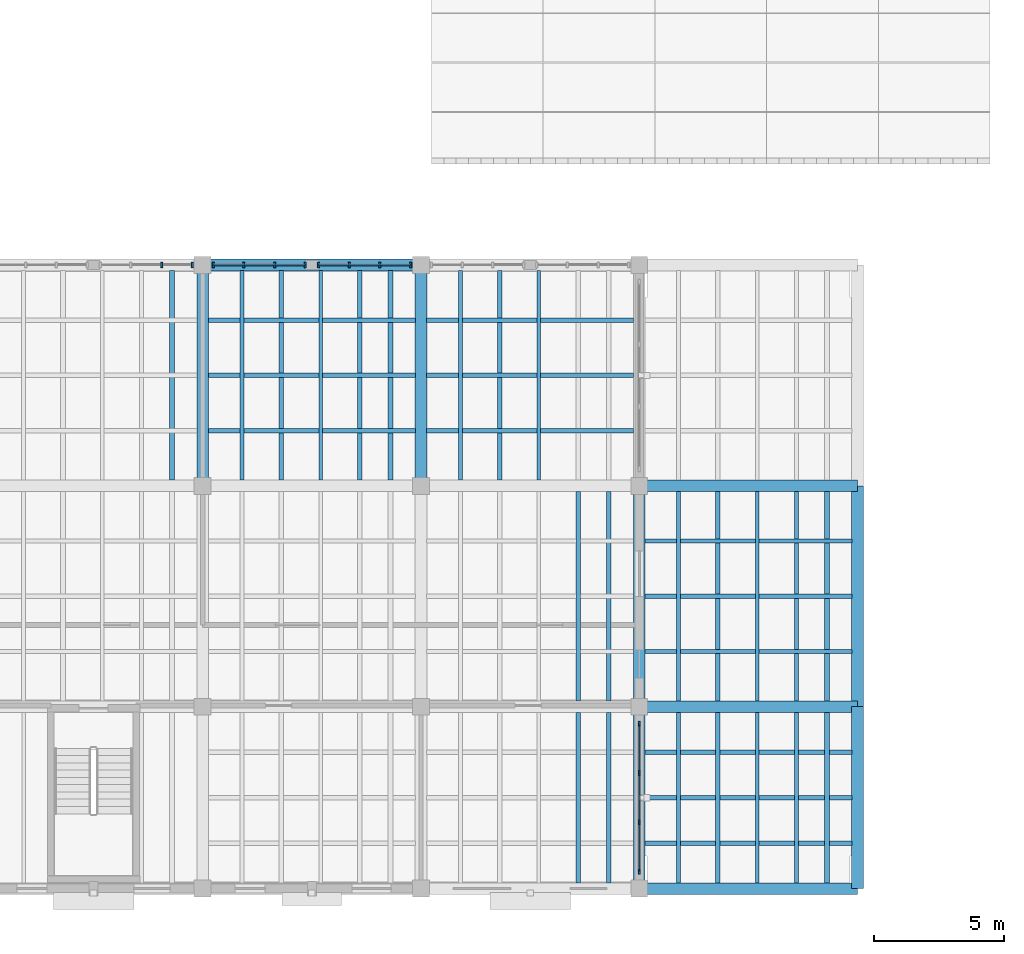
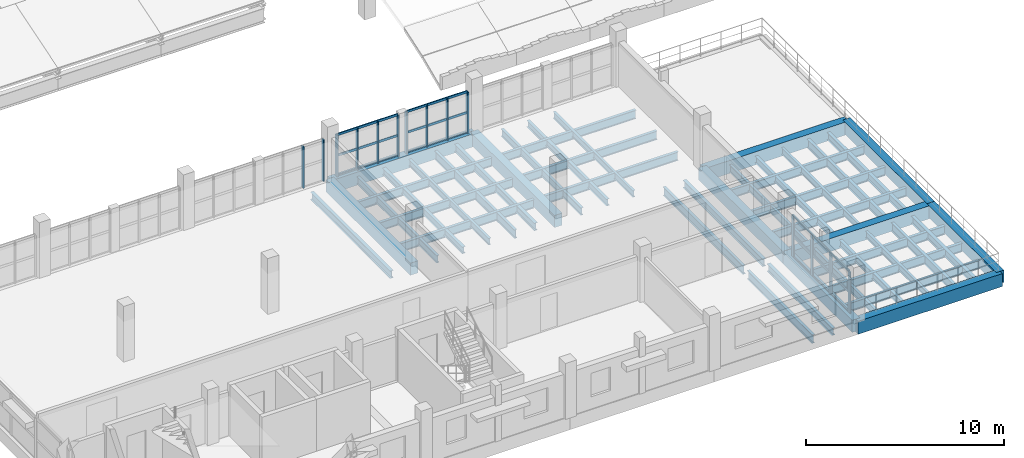
# One storey, part 17 of 48: 45 beams, 23 members, 4 elements without a shape of their own.
"""IFC4 building model written with IfcOpenShell, lengths in metres."""

import ifcopenshell
import ifcopenshell.guid

model = None  # the IFC model being written
_history = None  # IfcOwnerHistory: only IFC2X3 demands one
_inside = {}  # id of a spatial element -> (the spatial element, [elements in it])
_under = {}  # id of a project, library or spatial element -> (it, [spatial elements below it])
_declared = {}  # id of a project -> (the project, [libraries it declares])
_typed = {}  # id of a type object -> (the type object, [elements of that type])
_made_of = {}  # id of a material, layer set ... -> (it, [elements and type objects made of it])


def new_model(schema):
    """Start an empty IFC model of exactly this schema.

    Asked for "IFC4X3", IfcOpenShell would pick the latest addendum, in which some entities
    have other attributes; the version numbers below select the first issue.
    IFC2X3 requires an IfcOwnerHistory on every rooted entity: one is made here for all.
    """
    global model, _history
    if schema == "IFC4X3":
        model = ifcopenshell.file(schema_version=(4, 3, 0, 0))
    else:
        model = ifcopenshell.file(schema=schema)
    _inside.clear()
    _under.clear()
    _declared.clear()
    _typed.clear()
    _made_of.clear()
    _history = None
    if model.schema == "IFC2X3":
        org = make("IfcOrganization", Name="unknown")
        user = make(
            "IfcPersonAndOrganization",
            ThePerson=make("IfcPerson", FamilyName="unknown"),
            TheOrganization=org,
        )
        app = make(
            "IfcApplication",
            ApplicationDeveloper=org,
            Version="unknown",
            ApplicationFullName="unknown",
            ApplicationIdentifier="unknown",
        )
        _history = make(
            "IfcOwnerHistory",
            OwningUser=user,
            OwningApplication=app,
            ChangeAction="ADDED",
            CreationDate=0,
        )
    return model


def make(cls, **values):
    """One entity of the class cls with the attributes given. An attribute that is None is left unset."""
    return model.create_entity(
        cls, **{name: value for name, value in values.items() if value is not None}
    )


def rooted(cls, **values):
    """An entity with a GlobalId (a new one), such as an element, a storey or a relation."""
    return make(cls, GlobalId=ifcopenshell.guid.new(), OwnerHistory=_history, **values)


def si_unit(unit_type, name, prefix=None):
    """IfcSIUnit, for example si_unit("LENGTHUNIT", "METRE", prefix="MILLI")."""
    return make("IfcSIUnit", UnitType=unit_type, Prefix=prefix, Name=name)


def assignment(units):
    """IfcUnitAssignment: the units of a project."""
    return None if units is None else make("IfcUnitAssignment", Units=units)


def point(xyz):
    """IfcCartesianPoint."""
    return None if xyz is None else make("IfcCartesianPoint", Coordinates=xyz)


def direction(xyz):
    """IfcDirection."""
    return None if xyz is None else make("IfcDirection", DirectionRatios=xyz)


def frame(location, z_axis=None, x_axis=None):
    """IfcAxis2Placement3D, a coordinate frame: its origin and axes. An axis left out is left unset."""
    return make(
        "IfcAxis2Placement3D",
        Location=point(location),
        Axis=direction(z_axis),
        RefDirection=direction(x_axis),
    )


def frame_2d(location, x_axis=None):
    """IfcAxis2Placement2D, a coordinate frame in the plane: its origin and x axis."""
    return make(
        "IfcAxis2Placement2D", Location=point(location), RefDirection=direction(x_axis)
    )


def origin():
    """The frame at (0, 0, 0) with its axes left unset."""
    return frame((0.0, 0.0, 0.0))


def origin_2d():
    """The frame at (0, 0) in the plane with its x axis left unset."""
    return frame_2d((0.0, 0.0))


def place(relative_to, where):
    """IfcLocalPlacement: puts the frame where relative to a parent placement (None: the world)."""
    return make(
        "IfcLocalPlacement", PlacementRelTo=relative_to, RelativePlacement=where
    )


def context(
    kind, dimensions, precision=None, world=None, true_north=None, identifier=None
):
    """IfcGeometricRepresentationContext, for example the 3D "Model" context."""
    return make(
        "IfcGeometricRepresentationContext",
        ContextIdentifier=identifier,
        ContextType=kind,
        CoordinateSpaceDimension=dimensions,
        Precision=precision,
        WorldCoordinateSystem=world,
        TrueNorth=true_north,
    )


def subcontext(parent, identifier, kind, view, scale=None):
    """IfcGeometricRepresentationSubContext, for example "Body" below "Model"."""
    return make(
        "IfcGeometricRepresentationSubContext",
        ContextIdentifier=identifier,
        ContextType=kind,
        ParentContext=parent,
        TargetScale=scale,
        TargetView=view,
    )


def project(units=None, contexts=None):
    """IfcProject with its units and contexts."""
    return rooted(
        "IfcProject",
        Name="project",
        RepresentationContexts=contexts,
        UnitsInContext=assignment(units),
    )


def spatial(cls, under=None, at=None, **own):
    """A site, building, storey or space (cls), placed at a placement, below another one or the project."""
    s = rooted(cls, ObjectPlacement=at, **own)
    if under is not None:
        _under.setdefault(under.id(), (under, []))[1].append(s)
    return s


def profile(cls, at=None, kind="AREA", **sizes):
    """A parametric profile (cls). Its sizes go by their IFC names, for example OverallWidth=200.0."""
    return make(cls, ProfileType=kind, Position=at, **sizes)


def rectangle(**sizes):
    """IfcRectangleProfileDef."""
    return profile("IfcRectangleProfileDef", **sizes)


def i_section(**sizes):
    """IfcIShapeProfileDef."""
    return profile("IfcIShapeProfileDef", **sizes)


def extrude(swept, where, along, depth):
    """IfcExtrudedAreaSolid: the profile swept, set in the frame where, extruded along a direction by depth."""
    return make(
        "IfcExtrudedAreaSolid",
        SweptArea=swept,
        Position=where,
        ExtrudedDirection=direction(along),
        Depth=depth,
    )


def shape(context_of_items, identifier, shape_type, items):
    """IfcShapeRepresentation: the items that make up one representation, for example the "Body"."""
    return make(
        "IfcShapeRepresentation",
        ContextOfItems=context_of_items,
        RepresentationIdentifier=identifier,
        RepresentationType=shape_type,
        Items=items,
    )


def material(Name=None, Category=None):
    """IfcMaterial."""
    return make("IfcMaterial", Name=Name, Category=Category)


def layer(
    of_material, thickness, ventilated=None, Name=None, Category=None, Priority=None
):
    """IfcMaterialLayer: one layer of a wall or slab, of a material (None: an air gap)."""
    return make(
        "IfcMaterialLayer",
        Material=of_material,
        LayerThickness=thickness,
        IsVentilated=ventilated,
        Name=Name,
        Category=Category,
        Priority=Priority,
    )


def layer_set(layers, Name=None):
    """IfcMaterialLayerSet."""
    return make("IfcMaterialLayerSet", MaterialLayers=layers, LayerSetName=Name)


def material_profile(
    of_material, cross_section, Name=None, Category=None, Priority=None
):
    """IfcMaterialProfile: a cross section and its material."""
    return make(
        "IfcMaterialProfile",
        Name=Name,
        Material=of_material,
        Profile=cross_section,
        Priority=Priority,
        Category=Category,
    )


def profile_set(profiles, Name=None, composite=None):
    """IfcMaterialProfileSet."""
    return make(
        "IfcMaterialProfileSet",
        Name=Name,
        MaterialProfiles=profiles,
        CompositeProfile=composite,
    )


def made_of(thing, what):
    """Note that an element or type object is made of a material, layer set ...; save() writes the relation."""
    if what is not None:
        _made_of.setdefault(what.id(), (what, []))[1].append(thing)
    return thing


def type_object(cls, material=None, **own):
    """A type object (cls), such as IfcWallType, which elements share."""
    return made_of(rooted(cls, **own), material)


def element(
    cls,
    number,
    at=None,
    inside=None,
    cuts=None,
    type_object=None,
    material=None,
    context=None,
    identifier="Body",
    shape_type=None,
    held_by="IfcProductDefinitionShape",
    body=None,
    shapes=None,
    **own,
):
    """One element of the class cls, such as IfcWall. Its Tag is "e" and its number.

    at: its placement. inside: the storey or other place that contains it. cuts: it is an
    opening in that element (IfcRelVoidsElement). A single representation is given by context,
    identifier, shape_type and body (its items); several are given by shapes. held_by: the class
    of the entity that holds the representations. save() writes the other relations.
    """
    e = rooted(cls, Tag="e%d" % number, ObjectPlacement=at, **own)
    if body is not None:
        shapes = [shape(context, identifier, shape_type, body)]
    if shapes is not None:
        e.Representation = make(held_by, Representations=shapes)
    if inside is not None:
        _inside.setdefault(inside.id(), (inside, []))[1].append(e)
    if cuts is not None:
        rooted(
            "IfcRelVoidsElement", RelatingBuildingElement=cuts, RelatedOpeningElement=e
        )
    if type_object is not None:
        _typed.setdefault(type_object.id(), (type_object, []))[1].append(e)
    return made_of(e, material)


def aggregate(whole, parts):
    """IfcRelAggregates: a whole, such as a stair, and the parts it consists of."""
    return rooted("IfcRelAggregates", RelatingObject=whole, RelatedObjects=parts)


def save(model, path):
    """Write the relations noted so far, then the file.

    IfcRelAggregates (storeys below a building ...), IfcRelContainedInSpatialStructure (elements
    in a storey), IfcRelDefinesByType, IfcRelAssociatesMaterial and IfcRelDeclares: one each for
    every whole, place, type object, material and project.
    """
    for whole, parts in _under.values():
        aggregate(whole, parts)
    for where, things in _inside.values():
        rooted(
            "IfcRelContainedInSpatialStructure",
            RelatedElements=things,
            RelatingStructure=where,
        )
    for kind, things in _typed.values():
        rooted("IfcRelDefinesByType", RelatedObjects=things, RelatingType=kind)
    for what, things in _made_of.values():
        rooted("IfcRelAssociatesMaterial", RelatedObjects=things, RelatingMaterial=what)
    for by, libraries in _declared.values():
        rooted("IfcRelDeclares", RelatingContext=by, RelatedDefinitions=libraries)
    model.write(path)


model = new_model("IFC4")

# Units and contexts
model_context = context("Model", 3, precision=1e-05, world=origin(), true_north=direction((0.0, 1.0)))
body_context = subcontext(model_context, "Body", "Model", "MODEL_VIEW")
ifc_project = project(units=[si_unit("LENGTHUNIT", "METRE"), si_unit("AREAUNIT", "SQUARE_METRE"), si_unit("VOLUMEUNIT", "CUBIC_METRE"), si_unit("PLANEANGLEUNIT", "RADIAN"), si_unit("MASSUNIT", "GRAM", prefix="KILO")], contexts=[model_context])

# Site, building, storey
site_placement = place(None, origin())
site = spatial("IfcSite", under=ifc_project, at=site_placement, CompositionType="ELEMENT")
building_placement = place(site_placement, origin())
building = spatial("IfcBuilding", under=site, at=building_placement, Name="Trellovar Central Fire Station", CompositionType="ELEMENT")
storey_placement = place(building_placement, frame((0.0, 0.0, 9.300048828125)))
storey = spatial("IfcBuildingStorey", under=building, at=storey_placement, Name="L03", CompositionType="ELEMENT", Elevation=9.300048828125)

# Beams
ifc_material_1 = material(Name="Concrete C40/50", Category="concrete")
ifc_material_profile_1 = material_profile(ifc_material_1, rectangle(XDim=0.449951171875, YDim=0.800048828125, at=origin_2d()), Name="RC450X800")
ifc_profile_set_1 = profile_set([ifc_material_profile_1], Name="Concrete C40/50")
beam_type_1 = type_object("IfcBeamType", Name="BM-G1", PredefinedType="BEAM", material=ifc_profile_set_1)
for number, where, z_axis, x_axis, name in (
    (1, (147.5, 9.0, -0.400146484375), (1.0, 0.0, 0.0), (0.0, 1.0, 0.0), "L03 beam G-1"),
    (2, (147.5, 16.0, -0.400146484375), (1.0, 0.0, 0.0), (0.0, 1.0, 0.0), "L03 beam G-1"),
    (3, (147.5, 24.5, -0.400146484375), (1.0, 0.0, 0.0), (0.0, 1.0, 0.0), "L03 beam G-1"),
):
    element("IfcBeam", number, at=place(storey_placement, frame(where, z_axis=z_axis, x_axis=x_axis)), inside=storey, type_object=beam_type_1, Name=name, PredefinedType="BEAM", context=body_context, shape_type="SweptSolid", body=[
        extrude(rectangle(XDim=0.449951171875, YDim=0.800048828125, at=origin_2d()), origin(), (0.0, 0.0, 1.0), 8.39990234375),
    ])
beam_1_placement = place(storey_placement, frame((130.699951171875, 33.0, -0.400146484375), z_axis=(1.0, 0.0, 0.0), x_axis=(0.0, 1.0, 0.0)))
element("IfcBeam", 4, at=beam_1_placement, inside=storey, type_object=beam_type_1, Name="L03 beam G-1", PredefinedType="BEAM", context=body_context, shape_type="SweptSolid", body=[
    extrude(rectangle(XDim=0.449951171875, YDim=0.800048828125, at=origin_2d()), origin(), (0.0, 0.0, 1.0), 8.400146484375),
])
ifc_material_2 = material(Name="Concrete C40/50", Category="concrete")
ifc_material_profile_2 = material_profile(ifc_material_2, rectangle(XDim=0.449951171875, YDim=0.75, at=origin_2d()), Name="RC450X750")
ifc_profile_set_2 = profile_set([ifc_material_profile_2], Name="Concrete C40/50")
beam_type_2 = type_object("IfcBeamType", Name="BM-G2", PredefinedType="BEAM", material=ifc_profile_set_2)
for number, where, z_axis, x_axis, name in (
    (5, (130.699951171875, 24.5, -0.375), (0.0, 1.0, 0.0), (-1.0, 0.0, 0.0), "L03 beam G-2"),
    (6, (139.10009765625, 24.5, -0.375), (0.0, 1.0, 0.0), (-1.0, 0.0, 0.0), "L03 beam G-2"),
):
    element("IfcBeam", number, at=place(storey_placement, frame(where, z_axis=z_axis, x_axis=x_axis)), inside=storey, type_object=beam_type_2, Name=name, PredefinedType="BEAM", context=body_context, shape_type="SweptSolid", body=[
        extrude(rectangle(XDim=0.449951171875, YDim=0.75, at=origin_2d()), origin(), (0.0, 0.0, 1.0), 8.5),
    ])
beam_2_placement = place(storey_placement, frame((147.5, 9.0, -0.375), z_axis=(0.0, 1.0, 0.0), x_axis=(-1.0, 0.0, 0.0)))
element("IfcBeam", 7, at=beam_2_placement, inside=storey, type_object=beam_type_2, Name="L03 beam G-2", PredefinedType="BEAM", context=body_context, shape_type="SweptSolid", body=[
    extrude(rectangle(XDim=0.449951171875, YDim=0.75, at=origin_2d()), origin(), (0.0, 0.0, 1.0), 7.0),
])
beam_3_placement = place(storey_placement, frame((147.5, 16.0, -0.375), z_axis=(0.0, 1.0, 0.0), x_axis=(-1.0, 0.0, 0.0)))
element("IfcBeam", 8, at=beam_3_placement, inside=storey, type_object=beam_type_2, Name="L03 beam G-2", PredefinedType="BEAM", context=body_context, shape_type="SweptSolid", body=[
    extrude(rectangle(XDim=0.449951171875, YDim=0.75, at=origin_2d()), origin(), (0.0, 0.0, 1.0), 8.5),
])
beam_4_placement = place(storey_placement, frame((155.89990234375, 9.0, -0.375), z_axis=(0.0, 1.0, 0.0), x_axis=(-1.0, 0.0, 0.0)))
element("IfcBeam", 9, at=beam_4_placement, inside=storey, type_object=beam_type_2, Name="L03 beam G-2", PredefinedType="BEAM", context=body_context, shape_type="SweptSolid", body=[
    extrude(rectangle(XDim=0.449951171875, YDim=0.75, at=origin_2d()), origin(), (0.0, 0.0, 1.0), 7.0),
])
beam_5_placement = place(storey_placement, frame((155.89990234375, 16.0, -0.375), z_axis=(0.0, 1.0, 0.0), x_axis=(-1.0, 0.0, 0.0)))
element("IfcBeam", 10, at=beam_5_placement, inside=storey, type_object=beam_type_2, Name="L03 beam G-2", PredefinedType="BEAM", context=body_context, shape_type="SweptSolid", body=[
    extrude(rectangle(XDim=0.449951171875, YDim=0.75, at=origin_2d()), origin(), (0.0, 0.0, 1.0), 8.5),
])
ifc_material_3 = material(Name="Steel ASTM A992 Grade 50", Category="steel")
ifc_material_profile_3 = material_profile(ifc_material_3, i_section(OverallWidth=0.15283203125, OverallDepth=0.45458984375, WebThickness=0.008056640625, FlangeThickness=0.01318359375, FilletRadius=0.0126953125, at=origin_2d()), Name="W18X40")
ifc_profile_set_3 = profile_set([ifc_material_profile_3], Name="Steel ASTM A992 Grade 50")
beam_type_3 = type_object("IfcBeamType", Name="BM-SW10", PredefinedType="JOIST", material=ifc_profile_set_3)
for number, where, z_axis, x_axis, name in (
    (11, (132.2119140625, 24.719970703125, -0.487548828125), (0.0, 1.0, 0.0), (-1.0, 0.0, 0.0), "L03 secondary steel deck joist"),
    (12, (140.612060546875, 24.719970703125, -0.487548828125), (0.0, 1.0, 0.0), (-1.0, 0.0, 0.0), "L03 secondary steel deck joist"),
):
    element("IfcBeam", number, at=place(storey_placement, frame(where, z_axis=z_axis, x_axis=x_axis)), inside=storey, type_object=beam_type_3, Name=name, PredefinedType="JOIST", context=body_context, shape_type="SweptSolid", body=[
        extrude(i_section(OverallWidth=0.15283203125, OverallDepth=0.45458984375, WebThickness=0.008056640625, FlangeThickness=0.01318359375, FilletRadius=0.0126953125, at=origin_2d()), origin(), (0.0, 0.0, 1.0), 8.06005859375),
    ])
beam_6_placement = place(storey_placement, frame((149.011962890625, 9.219970703125, -0.487548828125), z_axis=(0.0, 1.0, 0.0), x_axis=(-1.0, 0.0, 0.0)))
element("IfcBeam", 13, at=beam_6_placement, inside=storey, type_object=beam_type_3, Name="L03 secondary steel deck joist", PredefinedType="JOIST", context=body_context, shape_type="SweptSolid", body=[
    extrude(i_section(OverallWidth=0.15283203125, OverallDepth=0.45458984375, WebThickness=0.008056640625, FlangeThickness=0.01318359375, FilletRadius=0.0126953125, at=origin_2d()), origin(), (0.0, 0.0, 1.0), 6.56005859375),
])
beam_7_placement = place(storey_placement, frame((149.011962890625, 16.219970703125, -0.487548828125), z_axis=(0.0, 1.0, 0.0), x_axis=(-1.0, 0.0, 0.0)))
element("IfcBeam", 14, at=beam_7_placement, inside=storey, type_object=beam_type_3, Name="L03 secondary steel deck joist", PredefinedType="JOIST", context=body_context, shape_type="SweptSolid", body=[
    extrude(i_section(OverallWidth=0.15283203125, OverallDepth=0.45458984375, WebThickness=0.008056640625, FlangeThickness=0.01318359375, FilletRadius=0.0126953125, at=origin_2d()), origin(), (0.0, 0.0, 1.0), 8.06005859375),
])
ifc_material_4 = material(Name="Steel ASTM A992 Grade 50", Category="steel")
ifc_material_profile_4 = material_profile(ifc_material_4, i_section(OverallWidth=0.177490234375, OverallDepth=0.40380859375, WebThickness=0.007568359375, FlangeThickness=0.010986328125, FilletRadius=0.011474609375, at=origin_2d()), Name="W16X36")
ifc_profile_set_4 = profile_set([ifc_material_profile_4], Name="Steel ASTM A992 Grade 50")
beam_type_4 = type_object("IfcBeamType", Name="BM-SW11", PredefinedType="JOIST", material=ifc_profile_set_4)
for number, where, z_axis, x_axis, name in (
    (15, (133.72412109375, 24.719970703125, -0.462158203125), (0.0, 1.0, 0.0), (-1.0, 0.0, 0.0), "L03 secondary steel deck joist"),
    (16, (142.1240234375, 24.719970703125, -0.462158203125), (0.0, 1.0, 0.0), (-1.0, 0.0, 0.0), "L03 secondary steel deck joist"),
):
    element("IfcBeam", number, at=place(storey_placement, frame(where, z_axis=z_axis, x_axis=x_axis)), inside=storey, type_object=beam_type_4, Name=name, PredefinedType="JOIST", context=body_context, shape_type="SweptSolid", body=[
        extrude(i_section(OverallWidth=0.177490234375, OverallDepth=0.40380859375, WebThickness=0.007568359375, FlangeThickness=0.010986328125, FilletRadius=0.011474609375, at=origin_2d()), origin(), (0.0, 0.0, 1.0), 8.06005859375),
    ])
beam_8_placement = place(storey_placement, frame((150.52392578125, 9.219970703125, -0.462158203125), z_axis=(0.0, 1.0, 0.0), x_axis=(-1.0, 0.0, 0.0)))
element("IfcBeam", 17, at=beam_8_placement, inside=storey, type_object=beam_type_4, Name="L03 secondary steel deck joist", PredefinedType="JOIST", context=body_context, shape_type="SweptSolid", body=[
    extrude(i_section(OverallWidth=0.177490234375, OverallDepth=0.40380859375, WebThickness=0.007568359375, FlangeThickness=0.010986328125, FilletRadius=0.011474609375, at=origin_2d()), origin(), (0.0, 0.0, 1.0), 6.56005859375),
])
beam_9_placement = place(storey_placement, frame((150.52392578125, 16.219970703125, -0.462158203125), z_axis=(0.0, 1.0, 0.0), x_axis=(-1.0, 0.0, 0.0)))
element("IfcBeam", 18, at=beam_9_placement, inside=storey, type_object=beam_type_4, Name="L03 secondary steel deck joist", PredefinedType="JOIST", context=body_context, shape_type="SweptSolid", body=[
    extrude(i_section(OverallWidth=0.177490234375, OverallDepth=0.40380859375, WebThickness=0.007568359375, FlangeThickness=0.010986328125, FilletRadius=0.011474609375, at=origin_2d()), origin(), (0.0, 0.0, 1.0), 8.06005859375),
])
ifc_material_5 = material(Name="Steel ASTM A992 Grade 50", Category="steel")
ifc_material_profile_5 = material_profile(ifc_material_5, i_section(OverallWidth=0.140380859375, OverallDepth=0.4033203125, WebThickness=0.007080078125, FlangeThickness=0.01123046875, FilletRadius=0.011474609375, at=origin_2d()), Name="W16X31")
ifc_profile_set_5 = profile_set([ifc_material_profile_5], Name="Steel ASTM A992 Grade 50")
beam_type_5 = type_object("IfcBeamType", Name="BM-SW12", PredefinedType="JOIST", material=ifc_profile_set_5)
for number, where, z_axis, x_axis, name in (
    (19, (135.236083984375, 24.719970703125, -0.461669921875), (0.0, 1.0, 0.0), (-1.0, 0.0, 0.0), "L03 secondary steel deck joist"),
    (20, (143.635986328125, 24.719970703125, -0.461669921875), (0.0, 1.0, 0.0), (-1.0, 0.0, 0.0), "L03 secondary steel deck joist"),
):
    element("IfcBeam", number, at=place(storey_placement, frame(where, z_axis=z_axis, x_axis=x_axis)), inside=storey, type_object=beam_type_5, Name=name, PredefinedType="JOIST", context=body_context, shape_type="SweptSolid", body=[
        extrude(i_section(OverallWidth=0.140380859375, OverallDepth=0.4033203125, WebThickness=0.007080078125, FlangeThickness=0.01123046875, FilletRadius=0.011474609375, at=origin_2d()), origin(), (0.0, 0.0, 1.0), 8.06005859375),
    ])
beam_10_placement = place(storey_placement, frame((152.035888671875, 9.219970703125, -0.461669921875), z_axis=(0.0, 1.0, 0.0), x_axis=(-1.0, 0.0, 0.0)))
element("IfcBeam", 21, at=beam_10_placement, inside=storey, type_object=beam_type_5, Name="L03 secondary steel deck joist", PredefinedType="JOIST", context=body_context, shape_type="SweptSolid", body=[
    extrude(i_section(OverallWidth=0.140380859375, OverallDepth=0.4033203125, WebThickness=0.007080078125, FlangeThickness=0.01123046875, FilletRadius=0.011474609375, at=origin_2d()), origin(), (0.0, 0.0, 1.0), 6.56005859375),
])
beam_11_placement = place(storey_placement, frame((152.035888671875, 16.219970703125, -0.461669921875), z_axis=(0.0, 1.0, 0.0), x_axis=(-1.0, 0.0, 0.0)))
element("IfcBeam", 22, at=beam_11_placement, inside=storey, type_object=beam_type_5, Name="L03 secondary steel deck joist", PredefinedType="JOIST", context=body_context, shape_type="SweptSolid", body=[
    extrude(i_section(OverallWidth=0.140380859375, OverallDepth=0.4033203125, WebThickness=0.007080078125, FlangeThickness=0.01123046875, FilletRadius=0.011474609375, at=origin_2d()), origin(), (0.0, 0.0, 1.0), 8.06005859375),
])
ifc_material_6 = material(Name="Steel ASTM A992 Grade 50", Category="steel")
ifc_material_profile_6 = material_profile(ifc_material_6, i_section(OverallWidth=0.166015625, OverallDepth=0.529052734375, WebThickness=0.009765625, FlangeThickness=0.013671875, FilletRadius=0.013916015625, at=origin_2d()), Name="W21X50")
ifc_profile_set_6 = profile_set([ifc_material_profile_6], Name="Steel ASTM A992 Grade 50")
beam_type_6 = type_object("IfcBeamType", Name="BM-SW8", PredefinedType="JOIST", material=ifc_profile_set_6)
for number, where, z_axis, x_axis, name in (
    (23, (130.919921875, 26.625, -0.524658203125), (1.0, 0.0, 0.0), (0.0, 1.0, 0.0), "L03 beam SB-8"),
    (24, (130.919921875, 28.75, -0.524658203125), (1.0, 0.0, 0.0), (0.0, 1.0, 0.0), "L03 beam SB-8"),
    (25, (130.919921875, 30.875, -0.524658203125), (1.0, 0.0, 0.0), (0.0, 1.0, 0.0), "L03 beam SB-8"),
    (26, (139.320068359375, 26.625, -0.524658203125), (1.0, 0.0, 0.0), (0.0, 1.0, 0.0), "L03 beam SB-8"),
    (27, (139.320068359375, 28.75, -0.524658203125), (1.0, 0.0, 0.0), (0.0, 1.0, 0.0), "L03 beam SB-8"),
    (28, (139.320068359375, 30.875, -0.524658203125), (1.0, 0.0, 0.0), (0.0, 1.0, 0.0), "L03 beam SB-8"),
    (29, (147.719970703125, 10.75, -0.524658203125), (1.0, 0.0, 0.0), (0.0, 1.0, 0.0), "L03 beam SB-8"),
    (30, (147.719970703125, 12.5, -0.524658203125), (1.0, 0.0, 0.0), (0.0, 1.0, 0.0), "L03 beam SB-8"),
    (31, (147.719970703125, 14.25, -0.524658203125), (1.0, 0.0, 0.0), (0.0, 1.0, 0.0), "L03 beam SB-8"),
    (32, (147.719970703125, 18.125, -0.524658203125), (1.0, 0.0, 0.0), (0.0, 1.0, 0.0), "L03 beam SB-8"),
    (33, (147.719970703125, 20.25, -0.524658203125), (1.0, 0.0, 0.0), (0.0, 1.0, 0.0), "L03 beam SB-8"),
    (34, (147.719970703125, 22.375, -0.524658203125), (1.0, 0.0, 0.0), (0.0, 1.0, 0.0), "L03 beam SB-8"),
):
    element("IfcBeam", number, at=place(storey_placement, frame(where, z_axis=z_axis, x_axis=x_axis)), inside=storey, type_object=beam_type_6, Name=name, PredefinedType="JOIST", context=body_context, shape_type="SweptSolid", body=[
        extrude(i_section(OverallWidth=0.166015625, OverallDepth=0.529052734375, WebThickness=0.009765625, FlangeThickness=0.013671875, FilletRadius=0.013916015625, at=origin_2d()), origin(), (0.0, 0.0, 1.0), 7.9599609375),
    ])
beam_12_placement = place(storey_placement, frame((136.748046875, 24.719970703125, -0.524658203125), z_axis=(0.0, 1.0, 0.0), x_axis=(-1.0, 0.0, 0.0)))
element("IfcBeam", 35, at=beam_12_placement, inside=storey, type_object=beam_type_6, Name="L03 secondary steel deck joist", PredefinedType="JOIST", context=body_context, shape_type="SweptSolid", body=[
    extrude(i_section(OverallWidth=0.166015625, OverallDepth=0.529052734375, WebThickness=0.009765625, FlangeThickness=0.013671875, FilletRadius=0.013916015625, at=origin_2d()), origin(), (0.0, 0.0, 1.0), 8.06005859375),
])
beam_13_placement = place(storey_placement, frame((145.14794921875, 9.219970703125, -0.524658203125), z_axis=(0.0, 1.0, 0.0), x_axis=(-1.0, 0.0, 0.0)))
element("IfcBeam", 36, at=beam_13_placement, inside=storey, type_object=beam_type_6, Name="L03 secondary steel deck joist", PredefinedType="JOIST", context=body_context, shape_type="SweptSolid", body=[
    extrude(i_section(OverallWidth=0.166015625, OverallDepth=0.529052734375, WebThickness=0.009765625, FlangeThickness=0.013671875, FilletRadius=0.013916015625, at=origin_2d()), origin(), (0.0, 0.0, 1.0), 6.56005859375),
])
beam_14_placement = place(storey_placement, frame((145.14794921875, 16.219970703125, -0.524658203125), z_axis=(0.0, 1.0, 0.0), x_axis=(-1.0, 0.0, 0.0)))
element("IfcBeam", 37, at=beam_14_placement, inside=storey, type_object=beam_type_6, Name="L03 secondary steel deck joist", PredefinedType="JOIST", context=body_context, shape_type="SweptSolid", body=[
    extrude(i_section(OverallWidth=0.166015625, OverallDepth=0.529052734375, WebThickness=0.009765625, FlangeThickness=0.013671875, FilletRadius=0.013916015625, at=origin_2d()), origin(), (0.0, 0.0, 1.0), 8.06005859375),
])
beam_15_placement = place(storey_placement, frame((153.548095703125, 9.219970703125, -0.524658203125), z_axis=(0.0, 1.0, 0.0), x_axis=(-1.0, 0.0, 0.0)))
element("IfcBeam", 38, at=beam_15_placement, inside=storey, type_object=beam_type_6, Name="L03 secondary steel deck joist", PredefinedType="JOIST", context=body_context, shape_type="SweptSolid", body=[
    extrude(i_section(OverallWidth=0.166015625, OverallDepth=0.529052734375, WebThickness=0.009765625, FlangeThickness=0.013671875, FilletRadius=0.013916015625, at=origin_2d()), origin(), (0.0, 0.0, 1.0), 6.56005859375),
])
beam_16_placement = place(storey_placement, frame((153.548095703125, 16.219970703125, -0.524658203125), z_axis=(0.0, 1.0, 0.0), x_axis=(-1.0, 0.0, 0.0)))
element("IfcBeam", 39, at=beam_16_placement, inside=storey, type_object=beam_type_6, Name="L03 secondary steel deck joist", PredefinedType="JOIST", context=body_context, shape_type="SweptSolid", body=[
    extrude(i_section(OverallWidth=0.166015625, OverallDepth=0.529052734375, WebThickness=0.009765625, FlangeThickness=0.013671875, FilletRadius=0.013916015625, at=origin_2d()), origin(), (0.0, 0.0, 1.0), 8.06005859375),
])
ifc_material_7 = material(Name="Steel ASTM A992 Grade 50", Category="steel")
ifc_material_profile_7 = material_profile(ifc_material_7, i_section(OverallWidth=0.1904296875, OverallDepth=0.457275390625, WebThickness=0.009033203125, FlangeThickness=0.014404296875, FilletRadius=0.0126953125, at=origin_2d()), Name="W18X50")
ifc_profile_set_7 = profile_set([ifc_material_profile_7], Name="Steel ASTM A992 Grade 50")
beam_type_7 = type_object("IfcBeamType", Name="BM-SW9", PredefinedType="JOIST", material=ifc_profile_set_7)
for number, where, z_axis, x_axis, name in (
    (40, (129.52392578125, 24.719970703125, -0.48876953125), (0.0, 1.0, 0.0), (-1.0, 0.0, 0.0), "L03 secondary steel deck joist"),
    (41, (137.924072265625, 24.719970703125, -0.48876953125), (0.0, 1.0, 0.0), (-1.0, 0.0, 0.0), "L03 secondary steel deck joist"),
):
    element("IfcBeam", number, at=place(storey_placement, frame(where, z_axis=z_axis, x_axis=x_axis)), inside=storey, type_object=beam_type_7, Name=name, PredefinedType="JOIST", context=body_context, shape_type="SweptSolid", body=[
        extrude(i_section(OverallWidth=0.1904296875, OverallDepth=0.457275390625, WebThickness=0.009033203125, FlangeThickness=0.014404296875, FilletRadius=0.0126953125, at=origin_2d()), origin(), (0.0, 0.0, 1.0), 8.06005859375),
    ])
beam_17_placement = place(storey_placement, frame((146.323974609375, 9.219970703125, -0.48876953125), z_axis=(0.0, 1.0, 0.0), x_axis=(-1.0, 0.0, 0.0)))
element("IfcBeam", 42, at=beam_17_placement, inside=storey, type_object=beam_type_7, Name="L03 secondary steel deck joist", PredefinedType="JOIST", context=body_context, shape_type="SweptSolid", body=[
    extrude(i_section(OverallWidth=0.1904296875, OverallDepth=0.457275390625, WebThickness=0.009033203125, FlangeThickness=0.014404296875, FilletRadius=0.0126953125, at=origin_2d()), origin(), (0.0, 0.0, 1.0), 6.56005859375),
])
beam_18_placement = place(storey_placement, frame((146.323974609375, 16.219970703125, -0.48876953125), z_axis=(0.0, 1.0, 0.0), x_axis=(-1.0, 0.0, 0.0)))
element("IfcBeam", 43, at=beam_18_placement, inside=storey, type_object=beam_type_7, Name="L03 secondary steel deck joist", PredefinedType="JOIST", context=body_context, shape_type="SweptSolid", body=[
    extrude(i_section(OverallWidth=0.1904296875, OverallDepth=0.457275390625, WebThickness=0.009033203125, FlangeThickness=0.014404296875, FilletRadius=0.0126953125, at=origin_2d()), origin(), (0.0, 0.0, 1.0), 8.06005859375),
])
beam_19_placement = place(storey_placement, frame((154.72412109375, 9.219970703125, -0.48876953125), z_axis=(0.0, 1.0, 0.0), x_axis=(-1.0, 0.0, 0.0)))
element("IfcBeam", 44, at=beam_19_placement, inside=storey, type_object=beam_type_7, Name="L03 secondary steel deck joist", PredefinedType="JOIST", context=body_context, shape_type="SweptSolid", body=[
    extrude(i_section(OverallWidth=0.1904296875, OverallDepth=0.457275390625, WebThickness=0.009033203125, FlangeThickness=0.014404296875, FilletRadius=0.0126953125, at=origin_2d()), origin(), (0.0, 0.0, 1.0), 6.56005859375),
])
beam_20_placement = place(storey_placement, frame((154.72412109375, 16.219970703125, -0.48876953125), z_axis=(0.0, 1.0, 0.0), x_axis=(-1.0, 0.0, 0.0)))
element("IfcBeam", 45, at=beam_20_placement, inside=storey, type_object=beam_type_7, Name="L03 secondary steel deck joist", PredefinedType="JOIST", context=body_context, shape_type="SweptSolid", body=[
    extrude(i_section(OverallWidth=0.1904296875, OverallDepth=0.457275390625, WebThickness=0.009033203125, FlangeThickness=0.014404296875, FilletRadius=0.0126953125, at=origin_2d()), origin(), (0.0, 0.0, 1.0), 8.06005859375),
])

# Curtain wall, members
ifc_material_8 = material(Name="Thermally broken bronze anodized aluminum", Category="aluminium")
ifc_layer_1 = layer(ifc_material_8, 0.159912109375)
ifc_layer_set_1 = layer_set([ifc_layer_1], Name="Thermally broken bronze anodized aluminum")
curtain_wall_type_1 = type_object("IfcCurtainWallType", Name="CW-09", PredefinedType="NOTDEFINED", material=ifc_layer_set_1)
curtain_wall_1_placement = place(storey_placement, origin())
curtain_wall_1 = element("IfcCurtainWall", 46, at=curtain_wall_1_placement, inside=storey, type_object=curtain_wall_type_1, Name="L03 curtain wall CW-9", PredefinedType="NOTDEFINED")
ifc_material_9 = material(Name="Thermally broken bronze anodized aluminum", Category="aluminium")
ifc_material_profile_8 = material_profile(ifc_material_9, rectangle(XDim=0.074951171875, YDim=0.199951171875, at=origin_2d()), Name="ALU75X200")
ifc_profile_set_8 = profile_set([ifc_material_profile_8], Name="Thermally broken bronze anodized aluminum")
member_type_1 = type_object("IfcMemberType", Name="CWM-1", PredefinedType="MULLION", material=ifc_profile_set_8)
member_1_placement = place(storey_placement, frame((130.300048828125, 33.0, 0.0), z_axis=(0.0, 0.0, 1.0), x_axis=(1.0, 0.0, 0.0)))
member_1 = element("IfcMember", 47, at=member_1_placement, type_object=member_type_1, Name="CW3-L03-0080 mullion 1", PredefinedType="MULLION", context=body_context, shape_type="SweptSolid", body=[
    extrude(rectangle(XDim=0.074951171875, YDim=0.199951171875, at=origin_2d()), origin(), (0.0, 0.0, 1.0), 2.550048828125),
])
member_2_placement = place(storey_placement, frame((129.11669921875, 33.0, 0.0), z_axis=(0.0, 0.0, 1.0), x_axis=(1.0, 0.0, 0.0)))
member_2 = element("IfcMember", 48, at=member_2_placement, type_object=member_type_1, Name="CW3-L03-0080 mullion 2", PredefinedType="MULLION", context=body_context, shape_type="SweptSolid", body=[
    extrude(rectangle(XDim=0.074951171875, YDim=0.199951171875, at=origin_2d()), origin(), (0.0, 0.0, 1.0), 2.550048828125),
])
aggregate(curtain_wall_1, [member_1, member_2])

curtain_wall_2_placement = place(storey_placement, origin())
curtain_wall_2 = element("IfcCurtainWall", 49, at=curtain_wall_2_placement, inside=storey, type_object=curtain_wall_type_1, Name="L03 curtain wall CW-9", PredefinedType="NOTDEFINED")
member_3_placement = place(storey_placement, frame((138.699951171875, 33.0, 0.0), z_axis=(0.0, 0.0, 1.0), x_axis=(1.0, 0.0, 0.0)))
member_3 = element("IfcMember", 50, at=member_3_placement, type_object=member_type_1, Name="CW3-L03-0082 mullion 1", PredefinedType="MULLION", context=body_context, shape_type="SweptSolid", body=[
    extrude(rectangle(XDim=0.074951171875, YDim=0.199951171875, at=origin_2d()), origin(), (0.0, 0.0, 1.0), 2.550048828125),
])
member_4_placement = place(storey_placement, frame((137.5166015625, 33.0, 0.0), z_axis=(0.0, 0.0, 1.0), x_axis=(1.0, 0.0, 0.0)))
member_4 = element("IfcMember", 51, at=member_4_placement, type_object=member_type_1, Name="CW3-L03-0082 mullion 2", PredefinedType="MULLION", context=body_context, shape_type="SweptSolid", body=[
    extrude(rectangle(XDim=0.074951171875, YDim=0.199951171875, at=origin_2d()), origin(), (0.0, 0.0, 1.0), 2.550048828125),
])
member_5_placement = place(storey_placement, frame((136.333251953125, 33.0, 0.0), z_axis=(0.0, 0.0, 1.0), x_axis=(1.0, 0.0, 0.0)))
member_5 = element("IfcMember", 52, at=member_5_placement, type_object=member_type_1, Name="CW3-L03-0082 mullion 3", PredefinedType="MULLION", context=body_context, shape_type="SweptSolid", body=[
    extrude(rectangle(XDim=0.074951171875, YDim=0.199951171875, at=origin_2d()), origin(), (0.0, 0.0, 1.0), 2.550048828125),
])
member_6_placement = place(storey_placement, frame((135.14990234375, 33.0, 0.0), z_axis=(0.0, 0.0, 1.0), x_axis=(1.0, 0.0, 0.0)))
member_6 = element("IfcMember", 53, at=member_6_placement, type_object=member_type_1, Name="CW3-L03-0082 mullion 4", PredefinedType="MULLION", context=body_context, shape_type="SweptSolid", body=[
    extrude(rectangle(XDim=0.074951171875, YDim=0.199951171875, at=origin_2d()), origin(), (0.0, 0.0, 1.0), 2.550048828125),
])

ifc_material_10 = material(Name="Thermally broken bronze anodized aluminum", Category="aluminium")
ifc_layer_2 = layer(ifc_material_10, 0.159912109375)
ifc_layer_set_2 = layer_set([ifc_layer_2], Name="Thermally broken bronze anodized aluminum")
curtain_wall_type_2 = type_object("IfcCurtainWallType", Name="CW-10", PredefinedType="NOTDEFINED", material=ifc_layer_set_2)
curtain_wall_3_placement = place(storey_placement, origin())
curtain_wall_3 = element("IfcCurtainWall", 54, at=curtain_wall_3_placement, inside=storey, type_object=curtain_wall_type_2, Name="L03 curtain wall CW-10", PredefinedType="NOTDEFINED")
member_7_placement = place(storey_placement, frame((134.64990234375, 33.0, 0.0), z_axis=(0.0, 0.0, 1.0), x_axis=(1.0, 0.0, 0.0)))
member_7 = element("IfcMember", 55, at=member_7_placement, type_object=member_type_1, Name="CW3-L03-0083 mullion 1", PredefinedType="MULLION", context=body_context, shape_type="SweptSolid", body=[
    extrude(rectangle(XDim=0.074951171875, YDim=0.199951171875, at=origin_2d()), origin(), (0.0, 0.0, 1.0), 2.550048828125),
])
member_8_placement = place(storey_placement, frame((133.466796875, 33.0, 0.0), z_axis=(0.0, 0.0, 1.0), x_axis=(1.0, 0.0, 0.0)))
member_8 = element("IfcMember", 56, at=member_8_placement, type_object=member_type_1, Name="CW3-L03-0083 mullion 2", PredefinedType="MULLION", context=body_context, shape_type="SweptSolid", body=[
    extrude(rectangle(XDim=0.074951171875, YDim=0.199951171875, at=origin_2d()), origin(), (0.0, 0.0, 1.0), 2.550048828125),
])
member_9_placement = place(storey_placement, frame((132.283203125, 33.0, 0.0), z_axis=(0.0, 0.0, 1.0), x_axis=(1.0, 0.0, 0.0)))
member_9 = element("IfcMember", 57, at=member_9_placement, type_object=member_type_1, Name="CW3-L03-0083 mullion 3", PredefinedType="MULLION", context=body_context, shape_type="SweptSolid", body=[
    extrude(rectangle(XDim=0.074951171875, YDim=0.199951171875, at=origin_2d()), origin(), (0.0, 0.0, 1.0), 2.550048828125),
])
member_10_placement = place(storey_placement, frame((131.10009765625, 33.0, 0.0), z_axis=(0.0, 0.0, 1.0), x_axis=(1.0, 0.0, 0.0)))
member_10 = element("IfcMember", 58, at=member_10_placement, type_object=member_type_1, Name="CW3-L03-0083 mullion 4", PredefinedType="MULLION", context=body_context, shape_type="SweptSolid", body=[
    extrude(rectangle(XDim=0.074951171875, YDim=0.199951171875, at=origin_2d()), origin(), (0.0, 0.0, 1.0), 2.550048828125),
])

ifc_material_11 = material(Name="Thermally broken bronze anodized aluminum", Category="aluminium")
ifc_layer_3 = layer(ifc_material_11, 0.159912109375)
ifc_layer_set_3 = layer_set([ifc_layer_3], Name="Thermally broken bronze anodized aluminum")
curtain_wall_type_3 = type_object("IfcCurtainWallType", Name="CW-01", PredefinedType="NOTDEFINED", material=ifc_layer_set_3)
curtain_wall_4_placement = place(storey_placement, origin())
curtain_wall_4 = element("IfcCurtainWall", 59, at=curtain_wall_4_placement, inside=storey, type_object=curtain_wall_type_3, Name="L03 curtain wall CW-1", PredefinedType="NOTDEFINED")
member_11_placement = place(storey_placement, frame((147.5, 9.64990234375, 0.0), z_axis=(0.0, 0.0, 1.0), x_axis=(1.0, 0.0, 0.0)))
member_11 = element("IfcMember", 60, at=member_11_placement, type_object=member_type_1, Name="CW3-L03-0089 mullion 1", PredefinedType="MULLION", context=body_context, shape_type="SweptSolid", body=[
    extrude(rectangle(XDim=0.074951171875, YDim=0.199951171875, at=origin_2d()), origin(), (0.0, 0.0, 1.0), 2.550048828125),
])
member_12_placement = place(storey_placement, frame((147.5, 11.550048828125, 0.0), z_axis=(0.0, 0.0, 1.0), x_axis=(1.0, 0.0, 0.0)))
member_12 = element("IfcMember", 61, at=member_12_placement, type_object=member_type_1, Name="CW3-L03-0089 mullion 2", PredefinedType="MULLION", context=body_context, shape_type="SweptSolid", body=[
    extrude(rectangle(XDim=0.074951171875, YDim=0.199951171875, at=origin_2d()), origin(), (0.0, 0.0, 1.0), 2.550048828125),
])
member_13_placement = place(storey_placement, frame((147.5, 13.449951171875, 0.0), z_axis=(0.0, 0.0, 1.0), x_axis=(1.0, 0.0, 0.0)))
member_13 = element("IfcMember", 62, at=member_13_placement, type_object=member_type_1, Name="CW3-L03-0089 mullion 3", PredefinedType="MULLION", context=body_context, shape_type="SweptSolid", body=[
    extrude(rectangle(XDim=0.074951171875, YDim=0.199951171875, at=origin_2d()), origin(), (0.0, 0.0, 1.0), 2.550048828125),
])
member_14_placement = place(storey_placement, frame((147.5, 15.35009765625, 0.0), z_axis=(0.0, 0.0, 1.0), x_axis=(1.0, 0.0, 0.0)))
member_14 = element("IfcMember", 63, at=member_14_placement, type_object=member_type_1, Name="CW3-L03-0089 mullion 4", PredefinedType="MULLION", context=body_context, shape_type="SweptSolid", body=[
    extrude(rectangle(XDim=0.074951171875, YDim=0.199951171875, at=origin_2d()), origin(), (0.0, 0.0, 1.0), 2.550048828125),
])

# Member
ifc_material_12 = material(Name="Thermally broken bronze anodized aluminum", Category="aluminium")
ifc_material_profile_9 = material_profile(ifc_material_12, rectangle(XDim=0.06005859375, YDim=0.139892578125, at=origin_2d()), Name="ALU60X140")
ifc_profile_set_9 = profile_set([ifc_material_profile_9], Name="Thermally broken bronze anodized aluminum")
member_type_2 = type_object("IfcMemberType", Name="CWT-1", PredefinedType="USERDEFINED", material=ifc_profile_set_9)
member_15_placement = place(storey_placement, frame((138.699951171875, 33.0, 0.0), z_axis=(-1.0, 0.0, 0.0), x_axis=(0.0, -1.0, 0.0)))
member_15 = element("IfcMember", 64, at=member_15_placement, type_object=member_type_2, Name="CW3-L03-0082 transom 1", ObjectType="TRANSOM", PredefinedType="USERDEFINED", context=body_context, shape_type="SweptSolid", body=[
    extrude(rectangle(XDim=0.06005859375, YDim=0.139892578125, at=origin_2d()), origin(), (0.0, 0.0, 1.0), 3.550048828125),
])

member_16_placement = place(storey_placement, frame((138.699951171875, 33.0, 1.27490234375), z_axis=(-1.0, 0.0, 0.0), x_axis=(0.0, -1.0, 0.0)))
member_16 = element("IfcMember", 65, at=member_16_placement, type_object=member_type_2, Name="CW3-L03-0082 transom 2", ObjectType="TRANSOM", PredefinedType="USERDEFINED", context=body_context, shape_type="SweptSolid", body=[
    extrude(rectangle(XDim=0.06005859375, YDim=0.139892578125, at=origin_2d()), origin(), (0.0, 0.0, 1.0), 3.550048828125),
])

member_17_placement = place(storey_placement, frame((138.699951171875, 33.0, 2.550048828125), z_axis=(-1.0, 0.0, 0.0), x_axis=(0.0, -1.0, 0.0)))
member_17 = element("IfcMember", 66, at=member_17_placement, type_object=member_type_2, Name="CW3-L03-0082 transom 3", ObjectType="TRANSOM", PredefinedType="USERDEFINED", context=body_context, shape_type="SweptSolid", body=[
    extrude(rectangle(XDim=0.06005859375, YDim=0.139892578125, at=origin_2d()), origin(), (0.0, 0.0, 1.0), 3.550048828125),
])

aggregate(curtain_wall_2, [member_3, member_4, member_5, member_6, member_15, member_16, member_17])

member_18_placement = place(storey_placement, frame((134.64990234375, 33.0, 0.0), z_axis=(-1.0, 0.0, 0.0), x_axis=(0.0, -1.0, 0.0)))
member_18 = element("IfcMember", 67, at=member_18_placement, type_object=member_type_2, Name="CW3-L03-0083 transom 1", ObjectType="TRANSOM", PredefinedType="USERDEFINED", context=body_context, shape_type="SweptSolid", body=[
    extrude(rectangle(XDim=0.06005859375, YDim=0.139892578125, at=origin_2d()), origin(), (0.0, 0.0, 1.0), 3.5498046875),
])

member_19_placement = place(storey_placement, frame((134.64990234375, 33.0, 1.27490234375), z_axis=(-1.0, 0.0, 0.0), x_axis=(0.0, -1.0, 0.0)))
member_19 = element("IfcMember", 68, at=member_19_placement, type_object=member_type_2, Name="CW3-L03-0083 transom 2", ObjectType="TRANSOM", PredefinedType="USERDEFINED", context=body_context, shape_type="SweptSolid", body=[
    extrude(rectangle(XDim=0.06005859375, YDim=0.139892578125, at=origin_2d()), origin(), (0.0, 0.0, 1.0), 3.5498046875),
])

member_20_placement = place(storey_placement, frame((134.64990234375, 33.0, 2.550048828125), z_axis=(-1.0, 0.0, 0.0), x_axis=(0.0, -1.0, 0.0)))
member_20 = element("IfcMember", 69, at=member_20_placement, type_object=member_type_2, Name="CW3-L03-0083 transom 3", ObjectType="TRANSOM", PredefinedType="USERDEFINED", context=body_context, shape_type="SweptSolid", body=[
    extrude(rectangle(XDim=0.06005859375, YDim=0.139892578125, at=origin_2d()), origin(), (0.0, 0.0, 1.0), 3.5498046875),
])

aggregate(curtain_wall_3, [member_7, member_8, member_9, member_10, member_18, member_19, member_20])

member_21_placement = place(storey_placement, frame((147.5, 9.64990234375, 0.0), z_axis=(0.0, 1.0, 0.0), x_axis=(-1.0, 0.0, 0.0)))
member_21 = element("IfcMember", 70, at=member_21_placement, type_object=member_type_2, Name="CW3-L03-0089 transom 1", ObjectType="TRANSOM", PredefinedType="USERDEFINED", context=body_context, shape_type="SweptSolid", body=[
    extrude(rectangle(XDim=0.06005859375, YDim=0.139892578125, at=origin_2d()), origin(), (0.0, 0.0, 1.0), 5.7001953125),
])

member_22_placement = place(storey_placement, frame((147.5, 9.64990234375, 1.27490234375), z_axis=(0.0, 1.0, 0.0), x_axis=(-1.0, 0.0, 0.0)))
member_22 = element("IfcMember", 71, at=member_22_placement, type_object=member_type_2, Name="CW3-L03-0089 transom 2", ObjectType="TRANSOM", PredefinedType="USERDEFINED", context=body_context, shape_type="SweptSolid", body=[
    extrude(rectangle(XDim=0.06005859375, YDim=0.139892578125, at=origin_2d()), origin(), (0.0, 0.0, 1.0), 5.7001953125),
])

member_23_placement = place(storey_placement, frame((147.5, 9.64990234375, 2.550048828125), z_axis=(0.0, 1.0, 0.0), x_axis=(-1.0, 0.0, 0.0)))
member_23 = element("IfcMember", 72, at=member_23_placement, type_object=member_type_2, Name="CW3-L03-0089 transom 3", ObjectType="TRANSOM", PredefinedType="USERDEFINED", context=body_context, shape_type="SweptSolid", body=[
    extrude(rectangle(XDim=0.06005859375, YDim=0.139892578125, at=origin_2d()), origin(), (0.0, 0.0, 1.0), 5.7001953125),
])

aggregate(curtain_wall_4, [member_11, member_12, member_13, member_14, member_21, member_22, member_23])

save(model, "model.ifc")
